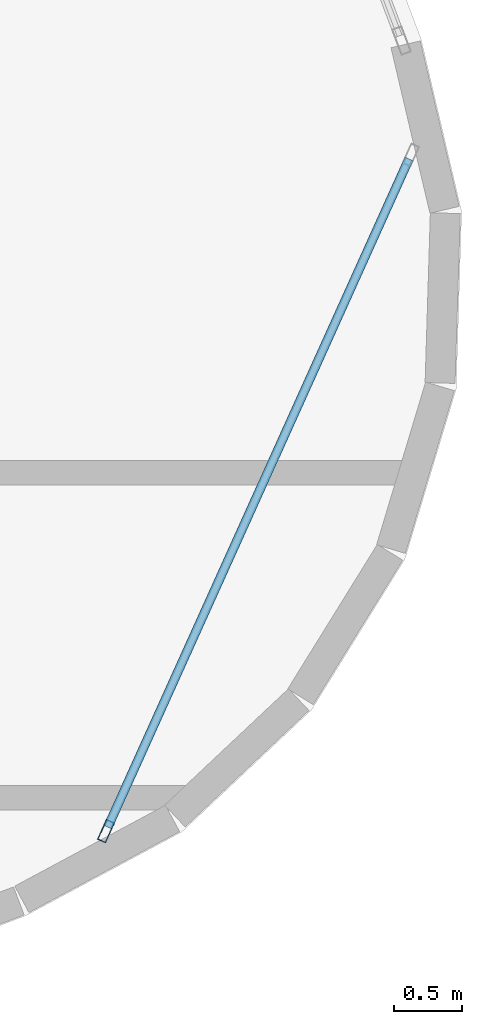
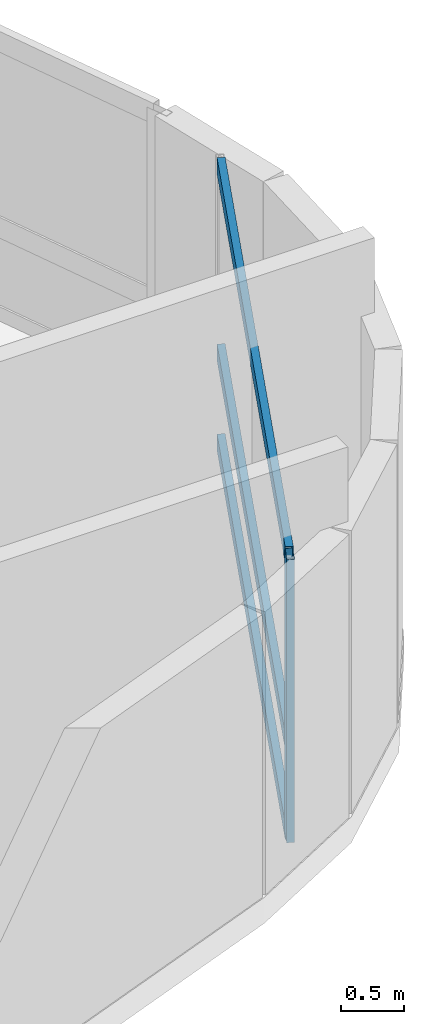
# One storey, part 13 of 24: 4 members, 1 element without a shape of its own.
"""IFC4 building model written with IfcOpenShell, lengths in metres."""

from ifc_helpers import new_model, si_unit, direction, frame, origin, origin_2d, place, context, subcontext, project, spatial, hollow_rectangle, extrude, material, layer, layer_set, material_profile, profile_set, type_object, element, aggregate, save


model = new_model("IFC4")

# Units and contexts
model_context = context("Model", 3, precision=1e-05, world=origin(), true_north=direction((0.0, 1.0)))
body_context = subcontext(model_context, "Body", "Model", "MODEL_VIEW")
ifc_project = project(units=[si_unit("LENGTHUNIT", "METRE"), si_unit("AREAUNIT", "SQUARE_METRE"), si_unit("VOLUMEUNIT", "CUBIC_METRE"), si_unit("PLANEANGLEUNIT", "RADIAN"), si_unit("MASSUNIT", "GRAM", prefix="KILO")], contexts=[model_context])

# Site, building, storey
site_placement = place(None, origin())
site = spatial("IfcSite", under=ifc_project, at=site_placement, CompositionType="ELEMENT")
building_placement = place(site_placement, origin())
building = spatial("IfcBuilding", under=site, at=building_placement, Name="Varnelok Gate Tower", CompositionType="ELEMENT")
storey_placement = place(building_placement, frame((0.0, 0.0, 212.699951171875)))
storey = spatial("IfcBuildingStorey", under=building, at=storey_placement, Name="L54", CompositionType="ELEMENT", Elevation=212.699951171875)

# Curtain wall, members
ifc_material = material(Name="Anodized Aluminum Alloy 6063-T6", Category="aluminium")
ifc_layer = layer(ifc_material, 0.179931640625)
ifc_layer_set = layer_set([ifc_layer], Name="Anodized Aluminum Alloy 6063-T6")
curtain_wall_type = type_object("IfcCurtainWallType", Name="CW5-WINDCORNER-GLAZ", PredefinedType="USERDEFINED", material=ifc_layer_set)
curtain_wall_placement = place(storey_placement, origin())
curtain_wall = element("IfcCurtainWall", 1, at=curtain_wall_placement, inside=storey, type_object=curtain_wall_type, Name="L54 Wind-Shaped Corner Curtain Wall SE", ObjectType="STRUCTURAL GLAZING", PredefinedType="USERDEFINED")
ifc_material_profile_1 = material_profile(ifc_material, hollow_rectangle(XDim=0.06494140625, YDim=0.159912109375, WallThickness=0.00390625, at=origin_2d()), Name="ALU160X65X4")
ifc_profile_set_1 = profile_set([ifc_material_profile_1], Name="Anodized Aluminum Alloy 6063-T6")
member_type_1 = type_object("IfcMemberType", Name="CW-MULL-160", PredefinedType="MULLION", material=ifc_profile_set_1)
member_1_placement = place(storey_placement, frame((73.3642578125, 16.606201171875, 0.0), z_axis=(0.0, 0.0, 1.0), x_axis=(-0.911662816164, 0.410939058285, 0.0)))
member_1 = element("IfcMember", 2, at=member_1_placement, type_object=member_type_1, Name="CW5 mullion 1", PredefinedType="MULLION", context=body_context, shape_type="SweptSolid", body=[
    extrude(hollow_rectangle(XDim=0.06494140625, YDim=0.159912109375, WallThickness=0.00390625, at=origin_2d()), origin(), (0.0, 0.0, 1.0), 2.72998046875),
])
ifc_material_profile_2 = material_profile(ifc_material, hollow_rectangle(XDim=0.06494140625, YDim=0.159912109375, WallThickness=0.00390625, at=origin_2d()), Name="ALU160X65X4")
ifc_profile_set_2 = profile_set([ifc_material_profile_2], Name="Anodized Aluminum Alloy 6063-T6")
member_type_2 = type_object("IfcMemberType", Name="CW-TRAN-160", PredefinedType="USERDEFINED", material=ifc_profile_set_2)
member_2_placement = place(storey_placement, frame((73.377685546875, 16.6357421875, 0.032470703125), z_axis=(0.410911255745, 0.911675347863, 0.0), x_axis=(-0.911675347863, 0.410911255745, 0.0)))
member_2 = element("IfcMember", 3, at=member_2_placement, type_object=member_type_2, Name="CW5 transom 1.1", ObjectType="TRANSOM", PredefinedType="USERDEFINED", context=body_context, shape_type="SweptSolid", body=[
    extrude(hollow_rectangle(XDim=0.06494140625, YDim=0.159912109375, WallThickness=0.00390625, at=origin_2d()), origin(), (0.0, 0.0, 1.0), 5.38525390625),
])
member_3_placement = place(storey_placement, frame((73.377685546875, 16.6357421875, 0.900146484375), z_axis=(0.410911255745, 0.911675347863, 0.0), x_axis=(-0.911675347863, 0.410911255745, 0.0)))
member_3 = element("IfcMember", 4, at=member_3_placement, type_object=member_type_2, Name="CW5 transom 1.2", ObjectType="TRANSOM", PredefinedType="USERDEFINED", context=body_context, shape_type="SweptSolid", body=[
    extrude(hollow_rectangle(XDim=0.06494140625, YDim=0.159912109375, WallThickness=0.00390625, at=origin_2d()), origin(), (0.0, 0.0, 1.0), 5.38525390625),
])
member_4_placement = place(storey_placement, frame((73.377685546875, 16.6357421875, 2.697509765625), z_axis=(0.410911255745, 0.911675347863, 0.0), x_axis=(-0.911675347863, 0.410911255745, 0.0)))
member_4 = element("IfcMember", 5, at=member_4_placement, type_object=member_type_2, Name="CW5 transom 1.3", ObjectType="TRANSOM", PredefinedType="USERDEFINED", context=body_context, shape_type="SweptSolid", body=[
    extrude(hollow_rectangle(XDim=0.06494140625, YDim=0.159912109375, WallThickness=0.00390625, at=origin_2d()), origin(), (0.0, 0.0, 1.0), 5.38525390625),
])
aggregate(curtain_wall, [member_1, member_2, member_3, member_4])

save(model, "model.ifc")
